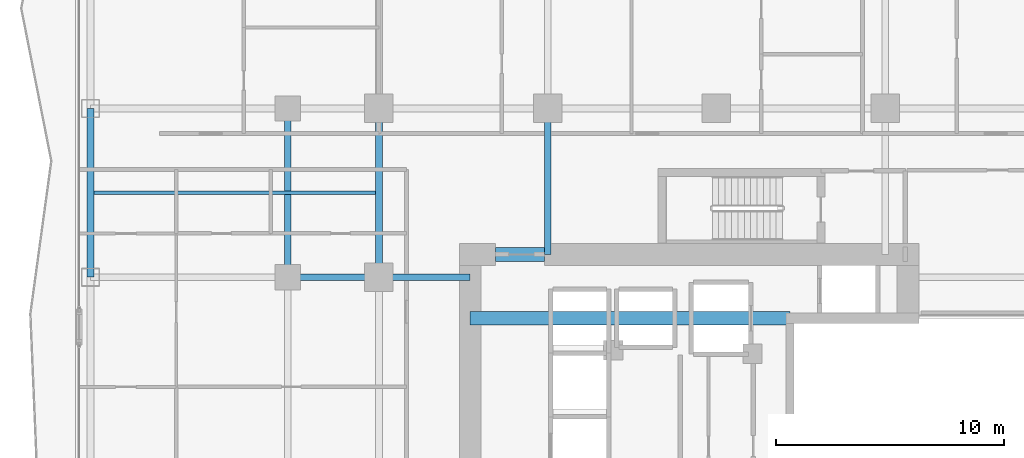
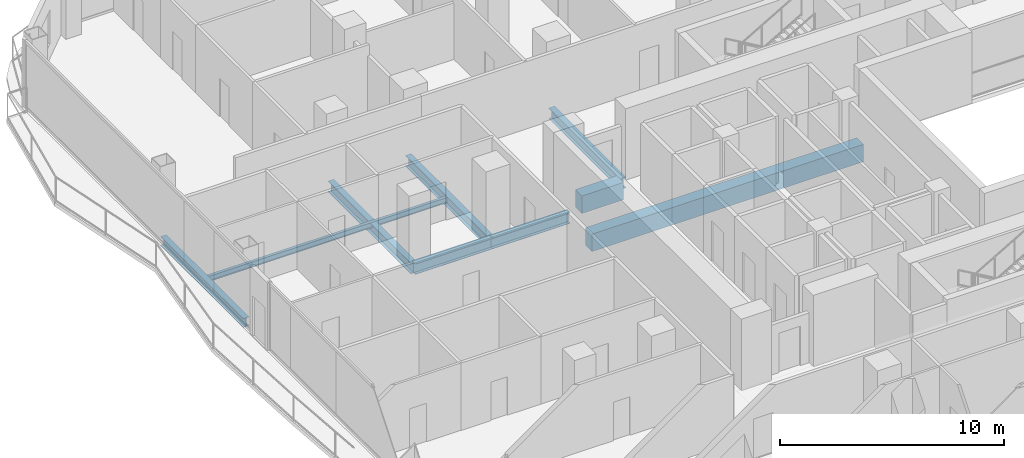
# One storey, part 7 of 27: 9 beams.
"""IFC4 building model written with IfcOpenShell, lengths in metres."""

from ifc_helpers import new_model, si_unit, direction, frame, origin, origin_2d, place, context, subcontext, project, spatial, rectangle, i_section, extrude, material, material_profile, profile_set, type_object, element, save


model = new_model("IFC4")

# Units and contexts
model_context = context("Model", 3, precision=1e-05, world=origin(), true_north=direction((0.0, 1.0)))
body_context = subcontext(model_context, "Body", "Model", "MODEL_VIEW")
ifc_project = project(units=[si_unit("LENGTHUNIT", "METRE"), si_unit("AREAUNIT", "SQUARE_METRE"), si_unit("VOLUMEUNIT", "CUBIC_METRE"), si_unit("PLANEANGLEUNIT", "RADIAN"), si_unit("MASSUNIT", "GRAM", prefix="KILO")], contexts=[model_context])

# Site, building, storey
site_placement = place(None, origin())
site = spatial("IfcSite", under=ifc_project, at=site_placement, CompositionType="ELEMENT")
building_placement = place(site_placement, origin())
building = spatial("IfcBuilding", under=site, at=building_placement, Name="Khorvyn Point Tower", CompositionType="ELEMENT")
storey_placement = place(building_placement, frame((0.0, 0.0, 96.89990234375)))
storey = spatial("IfcBuildingStorey", under=building, at=storey_placement, Name="L24", CompositionType="ELEMENT", Elevation=96.89990234375)

# Beams
ifc_material_1 = material(Name="Concrete C50/60", Category="concrete")
ifc_material_profile_1 = material_profile(ifc_material_1, rectangle(XDim=0.60009765625, YDim=0.949951171875, at=origin_2d()))
ifc_profile_set_1 = profile_set([ifc_material_profile_1], Name="Concrete C50/60 RC600x950")
beam_type_1 = type_object("IfcBeamType", Name="Concrete C50/60 Beam RC600x950", PredefinedType="BEAM", material=ifc_profile_set_1)
beam_1_placement = place(storey_placement, frame((-10.800048828125, 5.60009765625, -0.69482421875), z_axis=(1.0, 0.0, 0.0), x_axis=(0.0, 1.0, 0.0)))
element("IfcBeam", 1, at=beam_1_placement, inside=storey, type_object=beam_type_1, Name="L24 Core Internal Tie Girder N", PredefinedType="BEAM", context=body_context, shape_type="SweptSolid", body=[
    extrude(rectangle(XDim=0.60009765625, YDim=0.949951171875, at=origin_2d()), origin(), (0.0, 0.0, 1.0), 14.02001953125),
])
beam_2_placement = place(storey_placement, frame((-9.699951171875, 8.39990234375, -0.69482421875), z_axis=(1.0, 0.0, 0.0), x_axis=(0.0, 1.0, 0.0)))
element("IfcBeam", 2, at=beam_2_placement, inside=storey, type_object=beam_type_1, Name="L24 Core Northwest Portal Coupling Beam", PredefinedType="BEAM", context=body_context, shape_type="SweptSolid", body=[
    extrude(rectangle(XDim=0.60009765625, YDim=0.949951171875, at=origin_2d()), origin(), (0.0, 0.0, 1.0), 2.14990234375),
])
ifc_material_2 = material(Name="Steel S355", Category="steel")
ifc_material_profile_2 = material_profile(ifc_material_2, i_section(OverallWidth=0.300048828125, OverallDepth=0.587890625, WebThickness=0.011962890625, FlangeThickness=0.02001953125, at=origin_2d()))
ifc_profile_set_2 = profile_set([ifc_material_profile_2], Name="Steel S355 H588x300x12x20")
beam_type_2 = type_object("IfcBeamType", Name="Steel S355 Beam H588x300x12x20", PredefinedType="BEAM", material=ifc_profile_set_2)
for number, where, z_axis, x_axis, name in (
    (3, (-18.800048828125, 7.39990234375, -0.513916015625), (1.0, 0.0, 0.0), (0.0, 1.0, 0.0), "Beam"),
    (4, (-14.800048828125, 7.39990234375, -0.513916015625), (1.0, 0.0, 0.0), (0.0, 1.0, 0.0), "Beam"),
):
    element("IfcBeam", number, at=place(storey_placement, frame(where, z_axis=z_axis, x_axis=x_axis)), inside=storey, type_object=beam_type_2, Name=name, PredefinedType="BEAM", context=body_context, shape_type="SweptSolid", body=[
        extrude(i_section(OverallWidth=0.300048828125, OverallDepth=0.587890625, WebThickness=0.011962890625, FlangeThickness=0.02001953125, at=origin_2d()), origin(), (0.0, 0.0, 1.0), 4.0),
    ])
beam_3_placement = place(storey_placement, frame((-14.800048828125, 7.39990234375, -0.513916015625), z_axis=(0.0, 1.0, 0.0), x_axis=(-1.0, 0.0, 0.0)))
element("IfcBeam", 5, at=beam_3_placement, inside=storey, type_object=beam_type_2, Name="Beam", PredefinedType="BEAM", context=body_context, shape_type="SweptSolid", body=[
    extrude(i_section(OverallWidth=0.300048828125, OverallDepth=0.587890625, WebThickness=0.011962890625, FlangeThickness=0.02001953125, at=origin_2d()), origin(), (0.0, 0.0, 1.0), 7.400146484375),
])
beam_4_placement = place(storey_placement, frame((-7.39990234375, 8.39990234375, -0.513916015625), z_axis=(0.0, 1.0, 0.0), x_axis=(-1.0, 0.0, 0.0)))
element("IfcBeam", 6, at=beam_4_placement, inside=storey, type_object=beam_type_2, Name="Beam", PredefinedType="BEAM", context=body_context, shape_type="SweptSolid", body=[
    extrude(i_section(OverallWidth=0.300048828125, OverallDepth=0.587890625, WebThickness=0.011962890625, FlangeThickness=0.02001953125, at=origin_2d()), origin(), (0.0, 0.0, 1.0), 6.400146484375),
])
beam_5_placement = place(storey_placement, frame((-18.800048828125, 7.39990234375, -0.513916015625), z_axis=(0.0, 1.0, 0.0), x_axis=(-1.0, 0.0, 0.0)))
element("IfcBeam", 7, at=beam_5_placement, inside=storey, type_object=beam_type_2, Name="Beam", PredefinedType="BEAM", context=body_context, shape_type="SweptSolid", body=[
    extrude(i_section(OverallWidth=0.300048828125, OverallDepth=0.587890625, WebThickness=0.011962890625, FlangeThickness=0.02001953125, at=origin_2d()), origin(), (0.0, 0.0, 1.0), 7.400146484375),
])
ifc_material_profile_3 = material_profile(ifc_material_2, i_section(OverallWidth=0.14990234375, OverallDepth=0.300048828125, WebThickness=0.006591796875, FlangeThickness=0.009033203125, at=origin_2d()))
ifc_profile_set_3 = profile_set([ifc_material_profile_3], Name="Steel S355 H300x150x6.5x9")
beam_type_3 = type_object("IfcBeamType", Name="Steel S355 Joist H300x150x6.5x9", PredefinedType="JOIST", material=ifc_profile_set_3)
beam_6_placement = place(storey_placement, frame((-27.300048828125, 11.10009765625, -0.369873046875), z_axis=(1.0, 0.0, 0.0), x_axis=(0.0, 1.0, 0.0)))
element("IfcBeam", 8, at=beam_6_placement, inside=storey, type_object=beam_type_3, Name="Beam", PredefinedType="JOIST", context=body_context, shape_type="SweptSolid", body=[
    extrude(i_section(OverallWidth=0.14990234375, OverallDepth=0.300048828125, WebThickness=0.006591796875, FlangeThickness=0.009033203125, at=origin_2d()), origin(), (0.0, 0.0, 1.0), 12.35009765625),
])
ifc_material_profile_4 = material_profile(ifc_material_2, i_section(OverallWidth=0.300048828125, OverallDepth=0.488037109375, WebThickness=0.010986328125, FlangeThickness=0.01806640625, at=origin_2d()))
ifc_profile_set_4 = profile_set([ifc_material_profile_4], Name="Steel S355 H488x300x11x18")
beam_type_4 = type_object("IfcBeamType", Name="Steel S355 Spandrel H488x300x11x18", PredefinedType="SPANDREL", material=ifc_profile_set_4)
beam_7_placement = place(storey_placement, frame((-27.449951171875, 7.39990234375, -0.4638671875), z_axis=(0.0, 1.0, 0.0), x_axis=(-1.0, 0.0, 0.0)))
element("IfcBeam", 9, at=beam_7_placement, inside=storey, type_object=beam_type_4, Name="Beam", PredefinedType="SPANDREL", context=body_context, shape_type="SweptSolid", body=[
    extrude(i_section(OverallWidth=0.300048828125, OverallDepth=0.488037109375, WebThickness=0.010986328125, FlangeThickness=0.01806640625, at=origin_2d()), origin(), (0.0, 0.0, 1.0), 7.400146484375),
])

save(model, "model.ifc")
